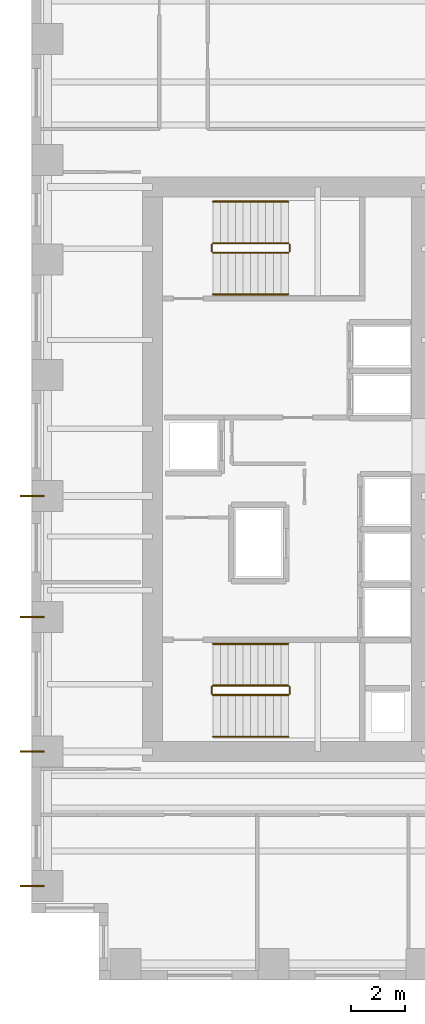
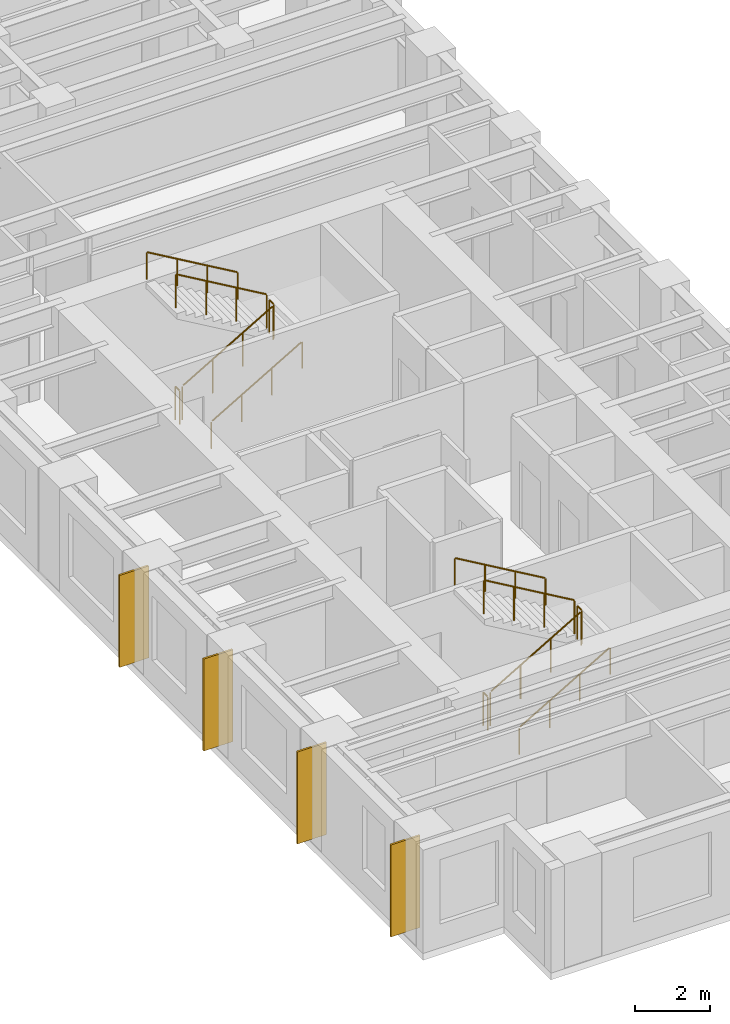
# One storey, part 10 of 11: 12 railings, 4 coverings.
"""IFC4 building model written with IfcOpenShell, lengths in metres."""

from ifc_helpers import new_model, si_unit, direction, frame, origin, origin_2d, place, context, subcontext, project, spatial, rectangle, circle, extrude, source, transform, mapped, material, layer, layer_set, type_object, element, save


model = new_model("IFC4")

# Units and contexts
model_context = context("Model", 3, precision=1e-05, world=origin(), true_north=direction((0.0, 1.0)))
body_context = subcontext(model_context, "Body", "Model", "MODEL_VIEW")
ifc_project = project(units=[si_unit("LENGTHUNIT", "METRE"), si_unit("AREAUNIT", "SQUARE_METRE"), si_unit("VOLUMEUNIT", "CUBIC_METRE"), si_unit("PLANEANGLEUNIT", "RADIAN"), si_unit("MASSUNIT", "GRAM", prefix="KILO")], contexts=[model_context])

# Site, building, storey
site_placement = place(None, origin())
site = spatial("IfcSite", under=ifc_project, at=site_placement, CompositionType="ELEMENT")
building_placement = place(site_placement, origin())
building = spatial("IfcBuilding", under=site, at=building_placement, Name="Kharzan Plaza Tower", CompositionType="ELEMENT")
storey_placement = place(building_placement, frame((0.0, 0.0, 120.60009765625)))
storey = spatial("IfcBuildingStorey", under=building, at=storey_placement, Name="L32", CompositionType="ELEMENT", Elevation=120.60009765625)

# Railings
ifc_material_1 = material(Name="Painted Galvanized Architectural Steel", Category="steel")
ifc_layer_1 = layer(ifc_material_1, 0.074951171875)
ifc_layer_set_1 = layer_set([ifc_layer_1], Name="Painted Galvanized Architectural Steel")
railing_type_1 = type_object("IfcRailingType", Name="RL-GUARD-1120", PredefinedType="BALUSTRADE", material=ifc_layer_set_1)
shared_shape_1 = source(origin(), body_context, "Body", "SweptSolid", [
    extrude(circle(Radius=0.02392578125, at=origin_2d()), frame((0.0, 0.0263671875, 1.09619140625), z_axis=(0.0, 1.0, 0.0), x_axis=(-1.0, 0.0, 0.0)), (0.0, 0.0, 1.0), 0.197021484375),
    extrude(circle(Radius=0.02099609375, at=origin_2d()), origin(), (0.0, 0.0, 1.0), 1.072021484375),
    extrude(circle(Radius=0.02099609375, at=origin_2d()), frame((0.0, 0.25, 0.0)), (0.0, 0.0, 1.0), 1.072021484375),
])
for number, where, name in (
    (1, (9.60009765625, 10.64990234375, 1.7998046875), "L32 ST-1 stair guard 2"),
    (2, (6.699951171875, 10.64990234375, 0.0), "L32 ST-1 stair guard 4"),
    (3, (9.60009765625, 27.10009765625, 1.7998046875), "L32 ST-2 stair guard 2"),
    (4, (6.699951171875, 27.10009765625, 0.0), "L32 ST-2 stair guard 4"),
):
    element("IfcRailing", number, at=place(storey_placement, frame(where)), inside=storey, type_object=railing_type_1, Name=name, PredefinedType="BALUSTRADE", context=body_context, shape_type="MappedRepresentation", body=[
        mapped(shared_shape_1, transform((0.0, 0.0, 0.0), x_axis=(1.0, 0.0, 0.0), y_axis=(0.0, 1.0, 0.0), z_axis=(0.0, 0.0, 1.0))),
    ])

# Coverings
ifc_material_2 = material(Name="Honed Riyadh Limestone", Category="masonry")
ifc_layer_2 = layer(ifc_material_2, 0.06005859375)
ifc_layer_set_2 = layer_set([ifc_layer_2], Name="Honed Riyadh Limestone")
covering_type = type_object("IfcCoveringType", Name="COV-CLAD-STONE", PredefinedType="CLADDING", material=ifc_layer_set_2)
shared_shape_2 = source(origin(), body_context, "Body", "SweptSolid", [
    extrude(rectangle(XDim=0.06005859375, YDim=0.89990234375, at=origin_2d()), origin(), (0.0, 0.0, 1.0), 3.0),
])
for number, where, z_axis, x_axis, name in (
    (5, (0.02001953125, 13.5, 0.099853515625), (0.0, 0.0, 1.0), (0.0, 1.0, 0.0), "L32 Limestone Pier Rainscreen Cladding TCW-135"),
    (6, (0.02001953125, 18.0, 0.099853515625), (0.0, 0.0, 1.0), (0.0, 1.0, 0.0), "L32 Limestone Pier Rainscreen Cladding TCW-180"),
    (7, (0.02001953125, 3.5, 0.099853515625), (0.0, 0.0, 1.0), (0.0, 1.0, 0.0), "L32 Limestone Pier Rainscreen Cladding TCW-35"),
    (8, (0.02001953125, 8.5, 0.099853515625), (0.0, 0.0, 1.0), (0.0, 1.0, 0.0), "L32 Limestone Pier Rainscreen Cladding TCW-85"),
):
    element("IfcCovering", number, at=place(storey_placement, frame(where, z_axis=z_axis, x_axis=x_axis)), inside=storey, type_object=covering_type, Name=name, PredefinedType="CLADDING", context=body_context, shape_type="MappedRepresentation", body=[
        mapped(shared_shape_2, transform((0.0, 0.0, 0.0), x_axis=(1.0, 0.0, 0.0), y_axis=(0.0, 1.0, 0.0), z_axis=(0.0, 0.0, 1.0))),
    ])

# Railings
shared_shape_3 = source(origin(), body_context, "Body", "SweptSolid", [
    extrude(circle(Radius=0.02392578125, at=origin_2d()), frame((0.02294921875, 0.0, 1.109375), z_axis=(0.863393664356, 0.0, 0.504530851732), x_axis=(0.0, 1.0, 0.0)), (0.0, 0.0, 1.0), 3.190185546875),
    extrude(circle(Radius=0.02099609375, at=origin_2d()), origin(), (0.0, 0.0, 1.0), 1.072021484375),
    extrude(circle(Radius=0.02099609375, at=origin_2d()), frame((0.933349609375, 0.0, 0.54541015625)), (0.0, 0.0, 1.0), 1.072021484375),
    extrude(circle(Radius=0.02099609375, at=origin_2d()), frame((1.86669921875, 0.0, 1.0908203125)), (0.0, 0.0, 1.0), 1.072021484375),
    extrude(circle(Radius=0.02099609375, at=origin_2d()), frame((2.800048828125, 0.0, 1.63623046875)), (0.0, 0.0, 1.0), 1.072021484375),
])
for number, where, name in (
    (9, (6.75, 10.60009765625, 0.16357421875), "L32 ST-1 stair guard 1"),
    (10, (6.75, 27.050048828125, 0.16357421875), "L32 ST-2 stair guard 1"),
):
    element("IfcRailing", number, at=place(storey_placement, frame(where)), inside=storey, type_object=railing_type_1, Name=name, PredefinedType="BALUSTRADE", context=body_context, shape_type="MappedRepresentation", body=[
        mapped(shared_shape_3, transform((0.0, 0.0, 0.0), x_axis=(1.0, 0.0, 0.0), y_axis=(0.0, 1.0, 0.0), z_axis=(0.0, 0.0, 1.0))),
    ])
shared_shape_4 = source(origin(), body_context, "Body", "SweptSolid", [
    extrude(circle(Radius=0.02392578125, at=origin_2d()), frame((-0.02294921875, 0.0, 1.109375), z_axis=(-0.863393664356, 0.0, 0.504530851732), x_axis=(0.0, -1.0, 0.0)), (0.0, 0.0, 1.0), 3.190185546875),
    extrude(circle(Radius=0.02099609375, at=origin_2d()), origin(), (0.0, 0.0, 1.0), 1.072021484375),
    extrude(circle(Radius=0.02099609375, at=origin_2d()), frame((-0.933349609375, 0.0, 0.54541015625)), (0.0, 0.0, 1.0), 1.072021484375),
    extrude(circle(Radius=0.02099609375, at=origin_2d()), frame((-1.86669921875, 0.0, 1.0908203125)), (0.0, 0.0, 1.0), 1.072021484375),
    extrude(circle(Radius=0.02099609375, at=origin_2d()), frame((-2.800048828125, 0.0, 1.63623046875)), (0.0, 0.0, 1.0), 1.072021484375),
])
for number, where, name in (
    (11, (9.550048828125, 10.949951171875, 1.963623046875), "L32 ST-1 stair guard 3"),
    (12, (9.550048828125, 27.39990234375, 1.963623046875), "L32 ST-2 stair guard 3"),
):
    element("IfcRailing", number, at=place(storey_placement, frame(where)), inside=storey, type_object=railing_type_1, Name=name, PredefinedType="BALUSTRADE", context=body_context, shape_type="MappedRepresentation", body=[
        mapped(shared_shape_4, transform((0.0, 0.0, 0.0), x_axis=(1.0, 0.0, 0.0), y_axis=(0.0, 1.0, 0.0), z_axis=(0.0, 0.0, 1.0))),
    ])
ifc_material_3 = material(Name="Brushed Stainless Steel", Category="steel")
ifc_layer_3 = layer(ifc_material_3, 0.050048828125)
ifc_layer_set_3 = layer_set([ifc_layer_3], Name="Brushed Stainless Steel")
railing_type_2 = type_object("IfcRailingType", Name="RL-STAIR-HR920", PredefinedType="HANDRAIL", material=ifc_layer_set_3)
shared_shape_5 = source(origin(), body_context, "Body", "SweptSolid", [
    extrude(circle(Radius=0.02392578125, at=origin_2d()), frame((0.02294921875, 0.0, 0.88916015625), z_axis=(0.863393664356, 0.0, 0.504530851732), x_axis=(0.0, 1.0, 0.0)), (0.0, 0.0, 1.0), 3.190185546875),
    extrude(circle(Radius=0.02099609375, at=origin_2d()), origin(), (0.0, 0.0, 1.0), 0.851806640625),
    extrude(circle(Radius=0.02099609375, at=origin_2d()), frame((0.933349609375, 0.0, 0.54541015625)), (0.0, 0.0, 1.0), 0.851806640625),
    extrude(circle(Radius=0.02099609375, at=origin_2d()), frame((1.86669921875, 0.0, 1.0908203125)), (0.0, 0.0, 1.0), 0.851806640625),
    extrude(circle(Radius=0.02099609375, at=origin_2d()), frame((2.800048828125, 0.0, 1.63623046875)), (0.0, 0.0, 1.0), 0.851806640625),
])
for number, where, name in (
    (13, (6.75, 9.050048828125, 0.16357421875), "L32 ST-1 stair handrail 1"),
    (14, (6.75, 25.5, 0.16357421875), "L32 ST-2 stair handrail 1"),
):
    element("IfcRailing", number, at=place(storey_placement, frame(where)), inside=storey, type_object=railing_type_2, Name=name, PredefinedType="HANDRAIL", context=body_context, shape_type="MappedRepresentation", body=[
        mapped(shared_shape_5, transform((0.0, 0.0, 0.0), x_axis=(1.0, 0.0, 0.0), y_axis=(0.0, 1.0, 0.0), z_axis=(0.0, 0.0, 1.0))),
    ])
shared_shape_6 = source(origin(), body_context, "Body", "SweptSolid", [
    extrude(circle(Radius=0.02392578125, at=origin_2d()), frame((-0.02294921875, 0.0, 0.88916015625), z_axis=(-0.863393664356, 0.0, 0.504530851732), x_axis=(0.0, -1.0, 0.0)), (0.0, 0.0, 1.0), 3.190185546875),
    extrude(circle(Radius=0.02099609375, at=origin_2d()), origin(), (0.0, 0.0, 1.0), 0.851806640625),
    extrude(circle(Radius=0.02099609375, at=origin_2d()), frame((-0.933349609375, 0.0, 0.54541015625)), (0.0, 0.0, 1.0), 0.851806640625),
    extrude(circle(Radius=0.02099609375, at=origin_2d()), frame((-1.86669921875, 0.0, 1.0908203125)), (0.0, 0.0, 1.0), 0.851806640625),
    extrude(circle(Radius=0.02099609375, at=origin_2d()), frame((-2.800048828125, 0.0, 1.63623046875)), (0.0, 0.0, 1.0), 0.851806640625),
])
for number, where, name in (
    (15, (9.550048828125, 12.5, 1.963623046875), "L32 ST-1 stair handrail 2"),
    (16, (9.550048828125, 28.949951171875, 1.963623046875), "L32 ST-2 stair handrail 2"),
):
    element("IfcRailing", number, at=place(storey_placement, frame(where)), inside=storey, type_object=railing_type_2, Name=name, PredefinedType="HANDRAIL", context=body_context, shape_type="MappedRepresentation", body=[
        mapped(shared_shape_6, transform((0.0, 0.0, 0.0), x_axis=(1.0, 0.0, 0.0), y_axis=(0.0, 1.0, 0.0), z_axis=(0.0, 0.0, 1.0))),
    ])

save(model, "model.ifc")
